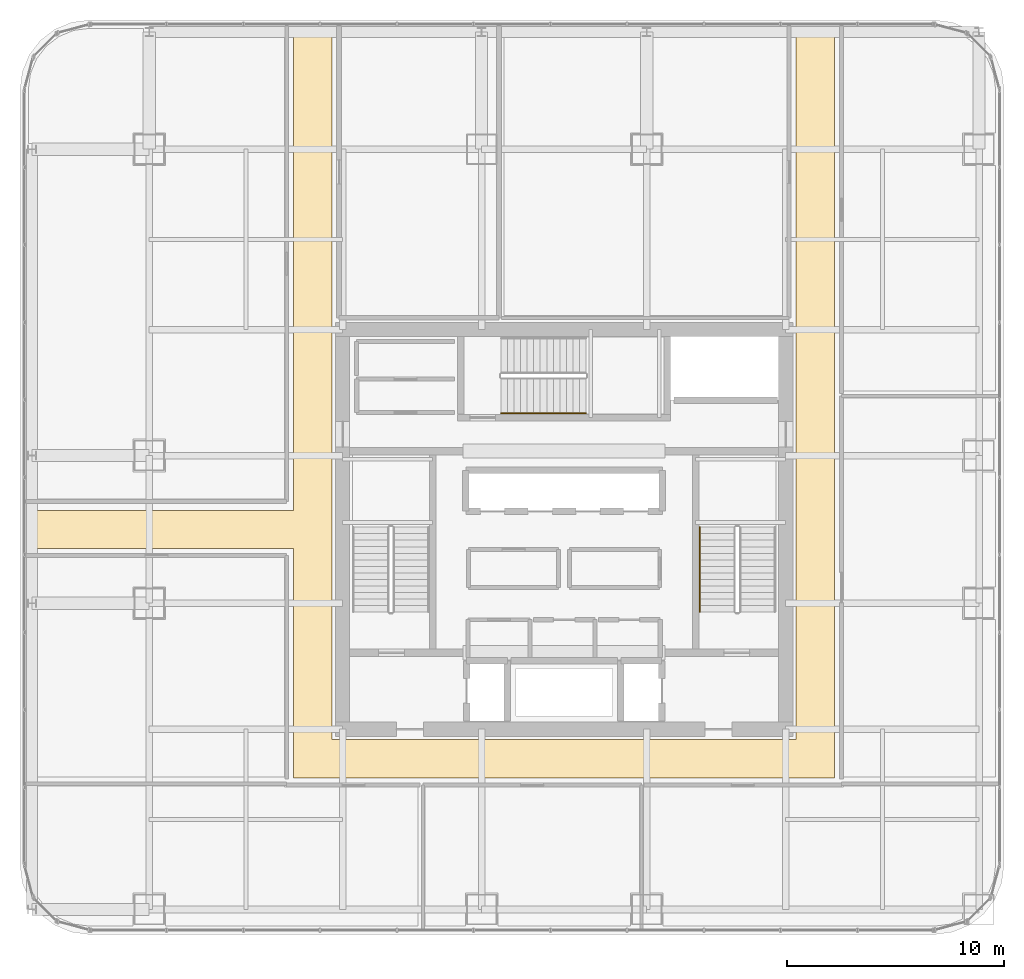
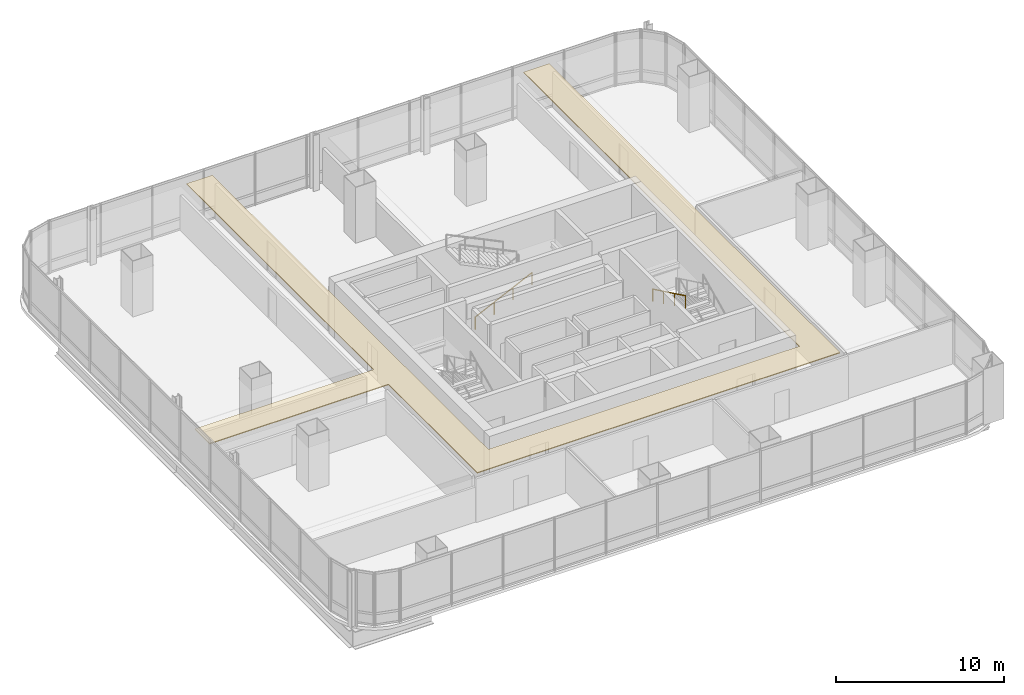
# One storey, part 35 of 37: 2 railings, 1 covering.
"""IFC4 building model written with IfcOpenShell, lengths in metres."""

import ifcopenshell
import ifcopenshell.guid

model = None  # the IFC model being written
_history = None  # IfcOwnerHistory: only IFC2X3 demands one
_inside = {}  # id of a spatial element -> (the spatial element, [elements in it])
_under = {}  # id of a project, library or spatial element -> (it, [spatial elements below it])
_declared = {}  # id of a project -> (the project, [libraries it declares])
_typed = {}  # id of a type object -> (the type object, [elements of that type])
_made_of = {}  # id of a material, layer set ... -> (it, [elements and type objects made of it])


def new_model(schema):
    """Start an empty IFC model of exactly this schema.

    Asked for "IFC4X3", IfcOpenShell would pick the latest addendum, in which some entities
    have other attributes; the version numbers below select the first issue.
    IFC2X3 requires an IfcOwnerHistory on every rooted entity: one is made here for all.
    """
    global model, _history
    if schema == "IFC4X3":
        model = ifcopenshell.file(schema_version=(4, 3, 0, 0))
    else:
        model = ifcopenshell.file(schema=schema)
    _inside.clear()
    _under.clear()
    _declared.clear()
    _typed.clear()
    _made_of.clear()
    _history = None
    if model.schema == "IFC2X3":
        org = make("IfcOrganization", Name="unknown")
        user = make(
            "IfcPersonAndOrganization",
            ThePerson=make("IfcPerson", FamilyName="unknown"),
            TheOrganization=org,
        )
        app = make(
            "IfcApplication",
            ApplicationDeveloper=org,
            Version="unknown",
            ApplicationFullName="unknown",
            ApplicationIdentifier="unknown",
        )
        _history = make(
            "IfcOwnerHistory",
            OwningUser=user,
            OwningApplication=app,
            ChangeAction="ADDED",
            CreationDate=0,
        )
    return model


def make(cls, **values):
    """One entity of the class cls with the attributes given. An attribute that is None is left unset."""
    return model.create_entity(
        cls, **{name: value for name, value in values.items() if value is not None}
    )


def rooted(cls, **values):
    """An entity with a GlobalId (a new one), such as an element, a storey or a relation."""
    return make(cls, GlobalId=ifcopenshell.guid.new(), OwnerHistory=_history, **values)


def si_unit(unit_type, name, prefix=None):
    """IfcSIUnit, for example si_unit("LENGTHUNIT", "METRE", prefix="MILLI")."""
    return make("IfcSIUnit", UnitType=unit_type, Prefix=prefix, Name=name)


def assignment(units):
    """IfcUnitAssignment: the units of a project."""
    return None if units is None else make("IfcUnitAssignment", Units=units)


def point(xyz):
    """IfcCartesianPoint."""
    return None if xyz is None else make("IfcCartesianPoint", Coordinates=xyz)


def direction(xyz):
    """IfcDirection."""
    return None if xyz is None else make("IfcDirection", DirectionRatios=xyz)


def frame(location, z_axis=None, x_axis=None):
    """IfcAxis2Placement3D, a coordinate frame: its origin and axes. An axis left out is left unset."""
    return make(
        "IfcAxis2Placement3D",
        Location=point(location),
        Axis=direction(z_axis),
        RefDirection=direction(x_axis),
    )


def frame_2d(location, x_axis=None):
    """IfcAxis2Placement2D, a coordinate frame in the plane: its origin and x axis."""
    return make(
        "IfcAxis2Placement2D", Location=point(location), RefDirection=direction(x_axis)
    )


def origin():
    """The frame at (0, 0, 0) with its axes left unset."""
    return frame((0.0, 0.0, 0.0))


def origin_2d():
    """The frame at (0, 0) in the plane with its x axis left unset."""
    return frame_2d((0.0, 0.0))


def place(relative_to, where):
    """IfcLocalPlacement: puts the frame where relative to a parent placement (None: the world)."""
    return make(
        "IfcLocalPlacement", PlacementRelTo=relative_to, RelativePlacement=where
    )


def context(
    kind, dimensions, precision=None, world=None, true_north=None, identifier=None
):
    """IfcGeometricRepresentationContext, for example the 3D "Model" context."""
    return make(
        "IfcGeometricRepresentationContext",
        ContextIdentifier=identifier,
        ContextType=kind,
        CoordinateSpaceDimension=dimensions,
        Precision=precision,
        WorldCoordinateSystem=world,
        TrueNorth=true_north,
    )


def subcontext(parent, identifier, kind, view, scale=None):
    """IfcGeometricRepresentationSubContext, for example "Body" below "Model"."""
    return make(
        "IfcGeometricRepresentationSubContext",
        ContextIdentifier=identifier,
        ContextType=kind,
        ParentContext=parent,
        TargetScale=scale,
        TargetView=view,
    )


def project(units=None, contexts=None):
    """IfcProject with its units and contexts."""
    return rooted(
        "IfcProject",
        Name="project",
        RepresentationContexts=contexts,
        UnitsInContext=assignment(units),
    )


def spatial(cls, under=None, at=None, **own):
    """A site, building, storey or space (cls), placed at a placement, below another one or the project."""
    s = rooted(cls, ObjectPlacement=at, **own)
    if under is not None:
        _under.setdefault(under.id(), (under, []))[1].append(s)
    return s


def polyline(points):
    """IfcPolyline through the points."""
    return make("IfcPolyline", Points=[point(p) for p in points])


def profile(cls, at=None, kind="AREA", **sizes):
    """A parametric profile (cls). Its sizes go by their IFC names, for example OverallWidth=200.0."""
    return make(cls, ProfileType=kind, Position=at, **sizes)


def circle(**sizes):
    """IfcCircleProfileDef."""
    return profile("IfcCircleProfileDef", **sizes)


def outline(outer, holes=None, kind="AREA"):
    """IfcArbitraryClosedProfileDef: a profile drawn as a closed curve; with holes, ...WithVoids."""
    if holes is None:
        return make("IfcArbitraryClosedProfileDef", ProfileType=kind, OuterCurve=outer)
    return make(
        "IfcArbitraryProfileDefWithVoids",
        ProfileType=kind,
        OuterCurve=outer,
        InnerCurves=holes,
    )


def extrude(swept, where, along, depth):
    """IfcExtrudedAreaSolid: the profile swept, set in the frame where, extruded along a direction by depth."""
    return make(
        "IfcExtrudedAreaSolid",
        SweptArea=swept,
        Position=where,
        ExtrudedDirection=direction(along),
        Depth=depth,
    )


def shape(context_of_items, identifier, shape_type, items):
    """IfcShapeRepresentation: the items that make up one representation, for example the "Body"."""
    return make(
        "IfcShapeRepresentation",
        ContextOfItems=context_of_items,
        RepresentationIdentifier=identifier,
        RepresentationType=shape_type,
        Items=items,
    )


def material(Name=None, Category=None):
    """IfcMaterial."""
    return make("IfcMaterial", Name=Name, Category=Category)


def layer(
    of_material, thickness, ventilated=None, Name=None, Category=None, Priority=None
):
    """IfcMaterialLayer: one layer of a wall or slab, of a material (None: an air gap)."""
    return make(
        "IfcMaterialLayer",
        Material=of_material,
        LayerThickness=thickness,
        IsVentilated=ventilated,
        Name=Name,
        Category=Category,
        Priority=Priority,
    )


def layer_set(layers, Name=None):
    """IfcMaterialLayerSet."""
    return make("IfcMaterialLayerSet", MaterialLayers=layers, LayerSetName=Name)


def made_of(thing, what):
    """Note that an element or type object is made of a material, layer set ...; save() writes the relation."""
    if what is not None:
        _made_of.setdefault(what.id(), (what, []))[1].append(thing)
    return thing


def type_object(cls, material=None, **own):
    """A type object (cls), such as IfcWallType, which elements share."""
    return made_of(rooted(cls, **own), material)


def element(
    cls,
    number,
    at=None,
    inside=None,
    cuts=None,
    type_object=None,
    material=None,
    context=None,
    identifier="Body",
    shape_type=None,
    held_by="IfcProductDefinitionShape",
    body=None,
    shapes=None,
    **own,
):
    """One element of the class cls, such as IfcWall. Its Tag is "e" and its number.

    at: its placement. inside: the storey or other place that contains it. cuts: it is an
    opening in that element (IfcRelVoidsElement). A single representation is given by context,
    identifier, shape_type and body (its items); several are given by shapes. held_by: the class
    of the entity that holds the representations. save() writes the other relations.
    """
    e = rooted(cls, Tag="e%d" % number, ObjectPlacement=at, **own)
    if body is not None:
        shapes = [shape(context, identifier, shape_type, body)]
    if shapes is not None:
        e.Representation = make(held_by, Representations=shapes)
    if inside is not None:
        _inside.setdefault(inside.id(), (inside, []))[1].append(e)
    if cuts is not None:
        rooted(
            "IfcRelVoidsElement", RelatingBuildingElement=cuts, RelatedOpeningElement=e
        )
    if type_object is not None:
        _typed.setdefault(type_object.id(), (type_object, []))[1].append(e)
    return made_of(e, material)


def aggregate(whole, parts):
    """IfcRelAggregates: a whole, such as a stair, and the parts it consists of."""
    return rooted("IfcRelAggregates", RelatingObject=whole, RelatedObjects=parts)


def save(model, path):
    """Write the relations noted so far, then the file.

    IfcRelAggregates (storeys below a building ...), IfcRelContainedInSpatialStructure (elements
    in a storey), IfcRelDefinesByType, IfcRelAssociatesMaterial and IfcRelDeclares: one each for
    every whole, place, type object, material and project.
    """
    for whole, parts in _under.values():
        aggregate(whole, parts)
    for where, things in _inside.values():
        rooted(
            "IfcRelContainedInSpatialStructure",
            RelatedElements=things,
            RelatingStructure=where,
        )
    for kind, things in _typed.values():
        rooted("IfcRelDefinesByType", RelatedObjects=things, RelatingType=kind)
    for what, things in _made_of.values():
        rooted("IfcRelAssociatesMaterial", RelatedObjects=things, RelatingMaterial=what)
    for by, libraries in _declared.values():
        rooted("IfcRelDeclares", RelatingContext=by, RelatedDefinitions=libraries)
    model.write(path)


model = new_model("IFC4")

# Units and contexts
model_context = context("Model", 3, precision=1e-05, world=origin(), true_north=direction((0.0, 1.0)))
body_context = subcontext(model_context, "Body", "Model", "MODEL_VIEW")
ifc_project = project(units=[si_unit("LENGTHUNIT", "METRE"), si_unit("AREAUNIT", "SQUARE_METRE"), si_unit("VOLUMEUNIT", "CUBIC_METRE"), si_unit("PLANEANGLEUNIT", "RADIAN"), si_unit("MASSUNIT", "GRAM", prefix="KILO")], contexts=[model_context])

# Site, building, storey
site_placement = place(None, origin())
site = spatial("IfcSite", under=ifc_project, at=site_placement, CompositionType="ELEMENT")
building_placement = place(site_placement, origin())
building = spatial("IfcBuilding", under=site, at=building_placement, Name="Punatoya Terracotta Tower", CompositionType="ELEMENT")
storey_placement = place(building_placement, frame((0.0, 0.0, 164.10009765625)))
storey = spatial("IfcBuildingStorey", under=building, at=storey_placement, Name="L38", CompositionType="ELEMENT", Elevation=164.10009765625)

# Covering
ifc_material_1 = material(Name="Acoustic Mineral Fibre Ceiling")
ifc_layer = layer(ifc_material_1, 0.06005859375)
ifc_layer_set = layer_set([ifc_layer], Name="Acoustic Mineral Fibre Ceiling")
covering_type = type_object("IfcCoveringType", Name="COV-CEIL-60", PredefinedType="CEILING", material=ifc_layer_set)
covering_placement = place(storey_placement, frame((0.0, 0.0, 3.219970703125)))
element("IfcCovering", 1, at=covering_placement, inside=storey, type_object=covering_type, Name="L38 Central Spine Circulation Corridor Acoustic Ceiling", PredefinedType="CEILING", context=body_context, shape_type="SweptSolid", body=[
    extrude(outline(polyline([(10.679931640625, 23.1298828125), (10.679931640625, -9.679931640625), (-10.679931640625, -9.679931640625), (-10.679931640625, 23.1298828125), (-12.449951171875, 23.1298828125), (-12.449951171875, 0.8798828125), (-24.72998046875, 0.8798828125), (-24.72998046875, -0.8798828125), (-12.449951171875, -0.8798828125), (-12.449951171875, -11.449951171875), (12.449951171875, -11.449951171875), (12.449951171875, 23.1298828125), (10.679931640625, 23.1298828125)])), origin(), (0.0, 0.0, 1.0), 0.059814453125),
])

# Railings
ifc_material_2 = material(Name="Steel S355", Category="steel")
railing_type = type_object("IfcRailingType", Name="RLG-HND-900", PredefinedType="HANDRAIL", material=ifc_material_2)
railing_1_placement = place(storey_placement, frame((6.25, 0.10009765625, 2.16943359375)))
element("IfcRailing", 2, at=railing_1_placement, inside=storey, type_object=railing_type, Name="L38 ST-2 stair handrail 2", PredefinedType="HANDRAIL", context=body_context, shape_type="SweptSolid", body=[
    extrude(circle(Radius=0.02392578125, at=origin_2d()), frame((0.0, 0.0, 0.8759765625), z_axis=(0.0, -0.900773802044, 0.434288564841), x_axis=(1.0, 0.0, 0.0)), (0.0, 0.0, 1.0), 4.329833984375),
    extrude(circle(Radius=0.02099609375, at=origin_2d()), origin(), (0.0, 0.0, 1.0), 0.851806640625),
    extrude(circle(Radius=0.02099609375, at=origin_2d()), frame((0.0, -1.300048828125, 0.626708984375)), (0.0, 0.0, 1.0), 0.851806640625),
    extrude(circle(Radius=0.02099609375, at=origin_2d()), frame((0.0, -2.60009765625, 1.253662109375)), (0.0, 0.0, 1.0), 0.851806640625),
    extrude(circle(Radius=0.02099609375, at=origin_2d()), frame((0.0, -3.900146484375, 1.88037109375)), (0.0, 0.0, 1.0), 0.851806640625),
])
railing_2_placement = place(storey_placement, frame((-2.89990234375, 5.35009765625, 0.14453125)))
element("IfcRailing", 3, at=railing_2_placement, inside=storey, type_object=railing_type, Name="L38 ST-3 stair handrail 1", PredefinedType="HANDRAIL", context=body_context, shape_type="SweptSolid", body=[
    extrude(circle(Radius=0.02392578125, at=origin_2d()), frame((0.0, 0.0, 0.8759765625), z_axis=(0.900763166376, 0.0, 0.434310623978), x_axis=(0.0, 1.0, 0.0)), (0.0, 0.0, 1.0), 4.32958984375),
    extrude(circle(Radius=0.02099609375, at=origin_2d()), origin(), (0.0, 0.0, 1.0), 0.851806640625),
    extrude(circle(Radius=0.02099609375, at=origin_2d()), frame((1.300048828125, 0.0, 0.626708984375)), (0.0, 0.0, 1.0), 0.851806640625),
    extrude(circle(Radius=0.02099609375, at=origin_2d()), frame((2.599853515625, 0.0, 1.253662109375)), (0.0, 0.0, 1.0), 0.851806640625),
    extrude(circle(Radius=0.02099609375, at=origin_2d()), frame((3.89990234375, 0.0, 1.88037109375)), (0.0, 0.0, 1.0), 0.851806640625),
])

save(model, "model.ifc")
